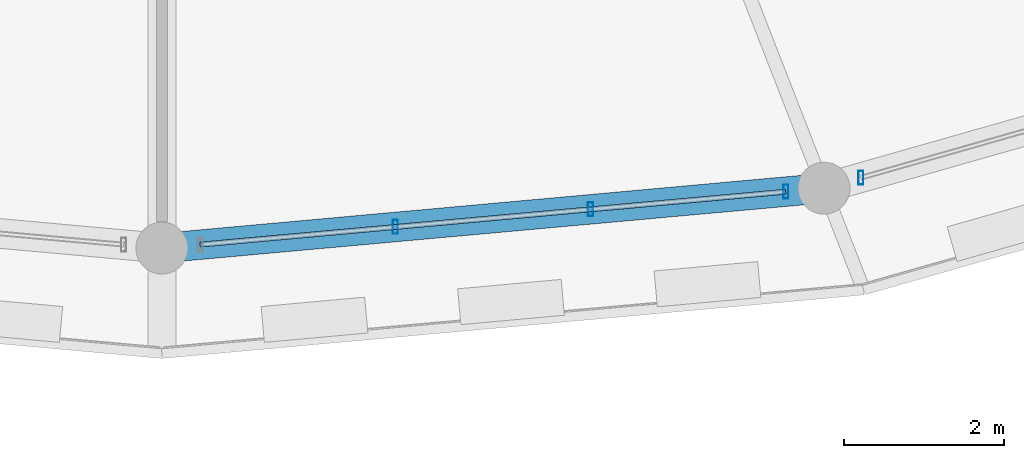
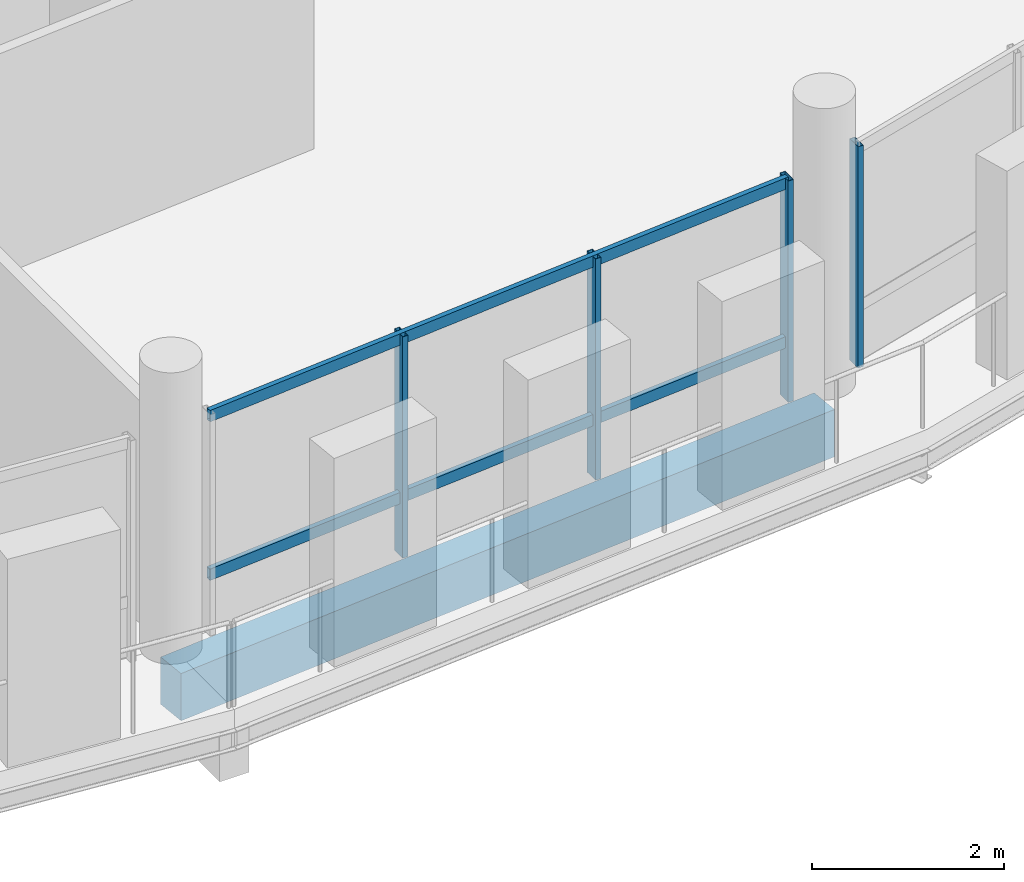
# One storey, part 31 of 84: 6 members, 1 beam, 2 elements without a shape of their own.
"""IFC4 building model written with IfcOpenShell, lengths in metres."""

from ifc_helpers import new_model, si_unit, direction, frame, origin, origin_2d, place, context, subcontext, project, spatial, rectangle, hollow_rectangle, extrude, material, material_profile, profile_set, type_object, element, aggregate, save


model = new_model("IFC4")

# Units and contexts
model_context = context("Model", 3, precision=1e-05, world=origin(), true_north=direction((0.0, 1.0)))
body_context = subcontext(model_context, "Body", "Model", "MODEL_VIEW")
ifc_project = project(units=[si_unit("LENGTHUNIT", "METRE"), si_unit("AREAUNIT", "SQUARE_METRE"), si_unit("VOLUMEUNIT", "CUBIC_METRE"), si_unit("PLANEANGLEUNIT", "RADIAN"), si_unit("MASSUNIT", "GRAM", prefix="KILO")], contexts=[model_context])

# Site, building, storey
site_placement = place(None, origin())
site = spatial("IfcSite", under=ifc_project, at=site_placement, CompositionType="ELEMENT")
building_placement = place(site_placement, origin())
building = spatial("IfcBuilding", under=site, at=building_placement, Name="Zornivar Specialist Clinic", CompositionType="ELEMENT")
storey_placement = place(building_placement, frame((0.0, 0.0, 12.300048828125)))
storey = spatial("IfcBuildingStorey", under=building, at=storey_placement, Name="L03", CompositionType="ELEMENT", Elevation=12.300048828125)

# Beam
ifc_material_1 = material(Name="Concrete C30/37", Category="concrete")
ifc_material_profile_1 = material_profile(ifc_material_1, rectangle(XDim=0.3701171875, YDim=0.60009765625, at=origin_2d()), Name="RC 370x600")
ifc_profile_set_1 = profile_set([ifc_material_profile_1], Name="Concrete C30/37")
beam_type = type_object("IfcBeamType", Name="BM-RC-SPANDREL-370x600", PredefinedType="SPANDREL", material=ifc_profile_set_1)
beam_placement = place(storey_placement, frame((93.60009765625, 35.60009765625, -0.5400390625), z_axis=(0.99592467027, 0.09018897465, 0.0), x_axis=(-0.09018897465, 0.99592467027, 0.0)))
element("IfcBeam", 1, at=beam_placement, inside=storey, type_object=beam_type, Name="bm:V1:L03:outring:18", PredefinedType="SPANDREL", context=body_context, shape_type="SweptSolid", body=[
    extrude(rectangle(XDim=0.3701171875, YDim=0.60009765625, at=origin_2d()), origin(), (0.0, 0.0, 1.0), 8.31591796875),
])

# Curtain wall, members
ifc_material_2 = material(Name="Aluminium and Low-E Glass Curtain Wall", Category="aluminium")
curtain_wall_type = type_object("IfcCurtainWallType", Name="CW-DRUM-FACET", PredefinedType="NOTDEFINED", material=ifc_material_2)
curtain_wall_1_placement = place(storey_placement, origin())
curtain_wall_1 = element("IfcCurtainWall", 2, at=curtain_wall_1_placement, inside=storey, type_object=curtain_wall_type, Name="cw:V1:L03:c18", PredefinedType="NOTDEFINED")
ifc_material_3 = material(Name="Aluminium AW-6060", Category="aluminium")
ifc_material_profile_2 = material_profile(ifc_material_3, hollow_rectangle(XDim=0.06494140625, YDim=0.175048828125, WallThickness=0.00439453125, at=origin_2d()), Name="ALU 65x175x4.5")
ifc_profile_set_2 = profile_set([ifc_material_profile_2], Name="Aluminium AW-6060")
member_type_1 = type_object("IfcMemberType", Name="CWM-MUL-175", PredefinedType="MULLION", material=ifc_profile_set_2)
member_1_placement = place(storey_placement, frame((96.52001953125, 35.864990234375, 0.0), z_axis=(0.0, 0.0, 1.0), x_axis=(1.0, 0.0, 0.0)))
member_1 = element("IfcMember", 3, at=member_1_placement, type_object=member_type_1, Name="cw:V1:L03:c18:mul:1", PredefinedType="MULLION", context=body_context, shape_type="SweptSolid", body=[
    extrude(hollow_rectangle(XDim=0.06494140625, YDim=0.175048828125, WallThickness=0.00439453125, at=origin_2d()), origin(), (0.0, 0.0, 1.0), 2.81005859375),
])
member_2_placement = place(storey_placement, frame((98.9619140625, 36.0859375, 0.0), z_axis=(0.0, 0.0, 1.0), x_axis=(1.0, 0.0, 0.0)))
member_2 = element("IfcMember", 4, at=member_2_placement, type_object=member_type_1, Name="cw:V1:L03:c18:mul:2", PredefinedType="MULLION", context=body_context, shape_type="SweptSolid", body=[
    extrude(hollow_rectangle(XDim=0.06494140625, YDim=0.175048828125, WallThickness=0.00439453125, at=origin_2d()), origin(), (0.0, 0.0, 1.0), 2.81005859375),
])
member_3_placement = place(storey_placement, frame((101.404052734375, 36.306884765625, 0.0), z_axis=(0.0, 0.0, 1.0), x_axis=(1.0, 0.0, 0.0)))
member_3 = element("IfcMember", 5, at=member_3_placement, type_object=member_type_1, Name="cw:V1:L03:c18:mul:3", PredefinedType="MULLION", context=body_context, shape_type="SweptSolid", body=[
    extrude(hollow_rectangle(XDim=0.06494140625, YDim=0.175048828125, WallThickness=0.00439453125, at=origin_2d()), origin(), (0.0, 0.0, 1.0), 2.81005859375),
])

# Curtain wall, member
curtain_wall_2_placement = place(storey_placement, origin())
curtain_wall_2 = element("IfcCurtainWall", 6, at=curtain_wall_2_placement, inside=storey, type_object=curtain_wall_type, Name="cw:V1:L03:c19", PredefinedType="NOTDEFINED")
member_4_placement = place(storey_placement, frame((102.343017578125, 36.48095703125, 0.0), z_axis=(0.0, 0.0, 1.0), x_axis=(1.0, 0.0, 0.0)))
member_4 = element("IfcMember", 7, at=member_4_placement, type_object=member_type_1, Name="cw:V1:L03:c19:mul:0", PredefinedType="MULLION", context=body_context, shape_type="SweptSolid", body=[
    extrude(hollow_rectangle(XDim=0.06494140625, YDim=0.175048828125, WallThickness=0.00439453125, at=origin_2d()), origin(), (0.0, 0.0, 1.0), 2.81005859375),
])
aggregate(curtain_wall_2, [member_4])

# Member
ifc_material_4 = material(Name="Aluminium AW-6060", Category="aluminium")
ifc_material_profile_3 = material_profile(ifc_material_4, hollow_rectangle(XDim=0.06005859375, YDim=0.14501953125, WallThickness=0.00390625, at=origin_2d()), Name="ALU 60x145x4")
ifc_profile_set_3 = profile_set([ifc_material_profile_3], Name="Aluminium AW-6060")
member_type_2 = type_object("IfcMemberType", Name="CWM-TRN-145", PredefinedType="USERDEFINED", material=ifc_profile_set_3)
member_5_placement = place(storey_placement, frame((94.077880859375, 35.64404296875, 0.73095703125), z_axis=(0.995943921343, 0.089976138722, 0.0), x_axis=(-0.089976138722, 0.995943921343, 0.0)))
member_5 = element("IfcMember", 8, at=member_5_placement, type_object=member_type_2, Name="cw:V1:L03:c18:trn:0", ObjectType="TRANSOM", PredefinedType="USERDEFINED", context=body_context, shape_type="SweptSolid", body=[
    extrude(hollow_rectangle(XDim=0.06005859375, YDim=0.14501953125, WallThickness=0.00390625, at=origin_2d()), origin(), (0.0, 0.0, 1.0), 7.35595703125),
])

member_6_placement = place(storey_placement, frame((94.077880859375, 35.64404296875, 2.744873046875), z_axis=(0.995943921343, 0.089976138722, 0.0), x_axis=(-0.089976138722, 0.995943921343, 0.0)))
member_6 = element("IfcMember", 9, at=member_6_placement, type_object=member_type_2, Name="cw:V1:L03:c18:trn:1", ObjectType="TRANSOM", PredefinedType="USERDEFINED", context=body_context, shape_type="SweptSolid", body=[
    extrude(hollow_rectangle(XDim=0.06005859375, YDim=0.14501953125, WallThickness=0.00390625, at=origin_2d()), origin(), (0.0, 0.0, 1.0), 7.35595703125),
])

aggregate(curtain_wall_1, [member_1, member_2, member_3, member_5, member_6])

save(model, "model.ifc")
